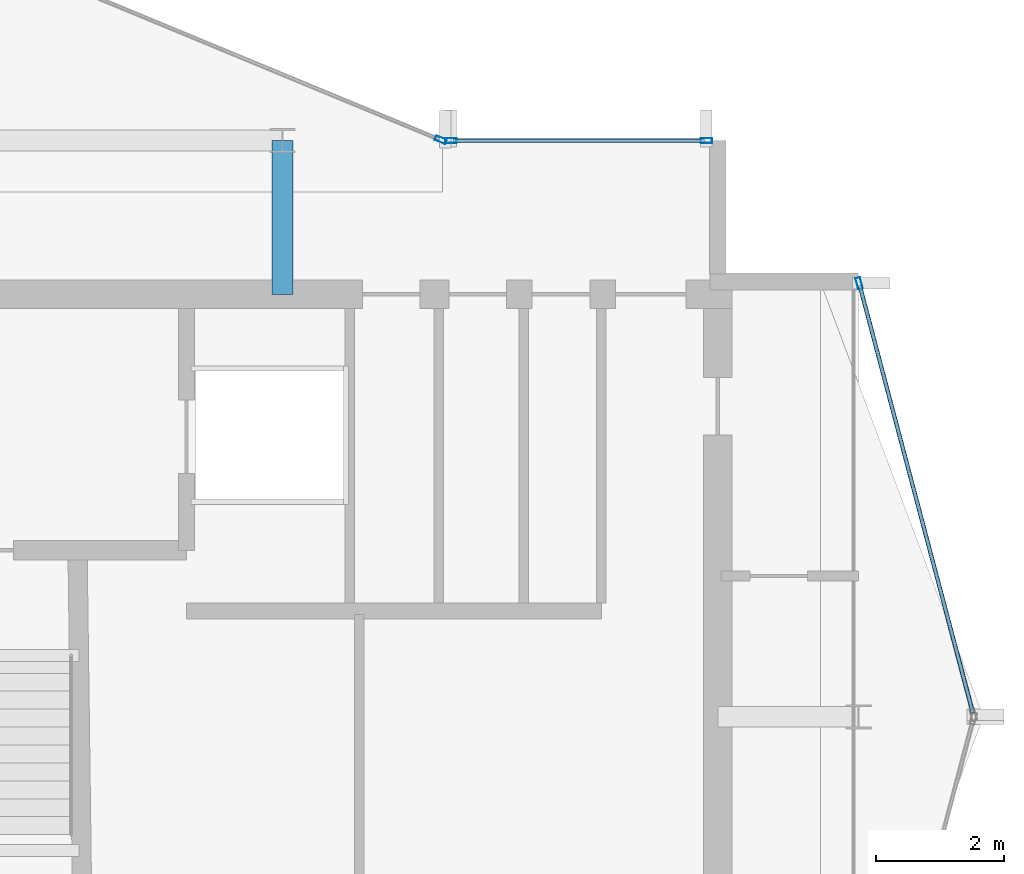
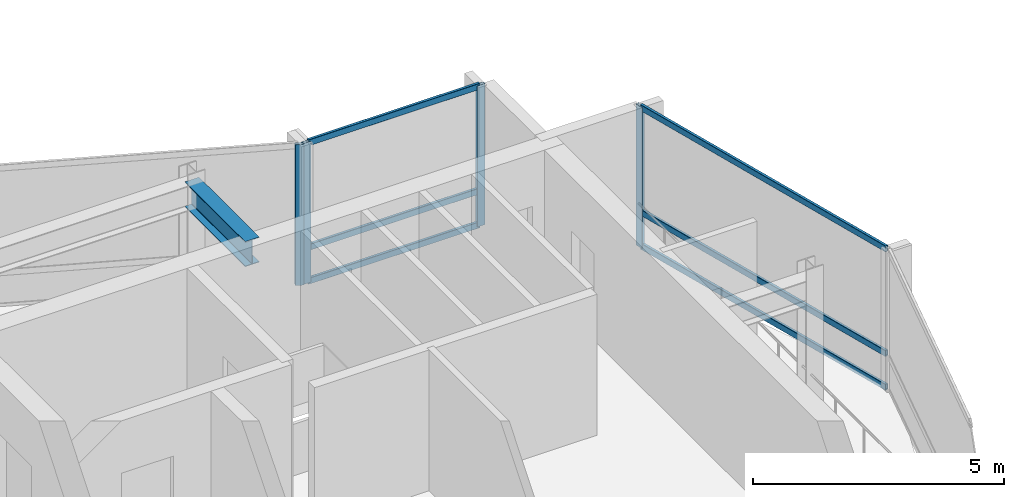
# One storey, part 10 of 19: 10 members, 1 beam, 3 elements without a shape of their own.
"""IFC4 building model written with IfcOpenShell, lengths in metres."""

from ifc_helpers import new_model, si_unit, direction, frame, origin, origin_2d, place, context, subcontext, project, spatial, hollow_rectangle, i_section, extrude, material, layer, layer_set, material_profile, profile_set, type_object, element, aggregate, save


model = new_model("IFC4")

# Units and contexts
model_context = context("Model", 3, precision=1e-05, world=origin(), true_north=direction((0.0, 1.0)))
body_context = subcontext(model_context, "Body", "Model", "MODEL_VIEW")
ifc_project = project(units=[si_unit("LENGTHUNIT", "METRE"), si_unit("AREAUNIT", "SQUARE_METRE"), si_unit("VOLUMEUNIT", "CUBIC_METRE"), si_unit("PLANEANGLEUNIT", "RADIAN"), si_unit("MASSUNIT", "GRAM", prefix="KILO")], contexts=[model_context])

# Site, building, storey
site_placement = place(None, origin())
site = spatial("IfcSite", under=ifc_project, at=site_placement, CompositionType="ELEMENT")
building_placement = place(site_placement, origin())
building = spatial("IfcBuilding", under=site, at=building_placement, Name="Solvaryn Broadcast Tower", CompositionType="ELEMENT")
storey_placement = place(building_placement, frame((0.0, 0.0, 270.39990234375)))
storey = spatial("IfcBuildingStorey", under=building, at=storey_placement, Name="L68", CompositionType="ELEMENT", Elevation=270.39990234375)

# Beam
ifc_material_1 = material(Name="Steel ASTM A992 Grade 50", Category="steel")
ifc_material_profile_1 = material_profile(ifc_material_1, i_section(OverallWidth=0.323974609375, OverallDepth=0.611083984375, WebThickness=0.0126953125, FlangeThickness=0.01904296875, FilletRadius=0.014892578125, at=origin_2d()))
ifc_profile_set_1 = profile_set([ifc_material_profile_1], Name="Steel ASTM A992 Grade 50")
beam_type = type_object("IfcBeamType", Name="BM-B1-W24X104", PredefinedType="BEAM", material=ifc_profile_set_1)
beam_placement = place(storey_placement, frame((36.0, 24.60009765625, 3.114501953125), z_axis=(0.0, 1.0, 0.0), x_axis=(-1.0, 0.0, 0.0)))
element("IfcBeam", 1, at=beam_placement, inside=storey, type_object=beam_type, Name="L68 Core Tie Beam CTE2", PredefinedType="BEAM", context=body_context, shape_type="SweptSolid", body=[
    extrude(i_section(OverallWidth=0.323974609375, OverallDepth=0.611083984375, WebThickness=0.0126953125, FlangeThickness=0.01904296875, FilletRadius=0.014892578125, at=origin_2d()), origin(), (0.0, 0.0, 1.0), 2.39990234375),
])

# Curtain wall, member
ifc_material_2 = material(Name="Aluminium and Terracotta Unitised Curtain Wall", Category="masonry")
ifc_layer = layer(ifc_material_2, 0.199951171875)
ifc_layer_set = layer_set([ifc_layer], Name="CW-SYS2-LOWMID")
curtain_wall_type = type_object("IfcCurtainWallType", Name="CW-SYS2-LOWMID", PredefinedType="NOTDEFINED", material=ifc_layer_set)
curtain_wall_1_placement = place(storey_placement, origin())
curtain_wall_1 = element("IfcCurtainWall", 2, at=curtain_wall_1_placement, inside=storey, type_object=curtain_wall_type, Name="L68 Curtain Wall CN1", PredefinedType="NOTDEFINED")
ifc_material_3 = material(Name="Anodised Aluminium 6063-T6", Category="aluminium")
ifc_material_profile_2 = material_profile(ifc_material_3, hollow_rectangle(XDim=0.074951171875, YDim=0.179931640625, WallThickness=0.00390625, InnerFilletRadius=0.00390625, OuterFilletRadius=0.008056640625, at=origin_2d()))
ifc_profile_set_2 = profile_set([ifc_material_profile_2], Name="Anodised Aluminium 6063-T6")
member_type_1 = type_object("IfcMemberType", Name="CW-MUL-180", PredefinedType="MULLION", material=ifc_profile_set_2)
member_1_placement = place(storey_placement, frame((38.47216796875, 27.011474609375, 0.0), z_axis=(0.0, 0.0, 1.0), x_axis=(-0.382646127145, -0.923894983957, 0.0)))
member_1 = element("IfcMember", 3, at=member_1_placement, type_object=member_type_1, Name="CWS2 mullion 1", PredefinedType="MULLION", context=body_context, shape_type="SweptSolid", body=[
    extrude(hollow_rectangle(XDim=0.074951171875, YDim=0.179931640625, WallThickness=0.00390625, InnerFilletRadius=0.00390625, OuterFilletRadius=0.008056640625, at=origin_2d()), origin(), (0.0, 0.0, 1.0), 3.420166015625),
])
aggregate(curtain_wall_1, [member_1])

curtain_wall_2_placement = place(storey_placement, origin())
curtain_wall_2 = element("IfcCurtainWall", 4, at=curtain_wall_2_placement, inside=storey, type_object=curtain_wall_type, Name="L68 Curtain Wall ET1", PredefinedType="NOTDEFINED")
member_2_placement = place(storey_placement, frame((45.007568359375, 24.77099609375, 0.0), z_axis=(0.0, 0.0, 1.0), x_axis=(0.966705227863, 0.25589256031, 0.0)))
member_2 = element("IfcMember", 5, at=member_2_placement, type_object=member_type_1, Name="CWS2 mullion 1", PredefinedType="MULLION", context=body_context, shape_type="SweptSolid", body=[
    extrude(hollow_rectangle(XDim=0.074951171875, YDim=0.179931640625, WallThickness=0.00390625, InnerFilletRadius=0.00390625, OuterFilletRadius=0.008056640625, at=origin_2d()), origin(), (0.0, 0.0, 1.0), 3.420166015625),
])

# Curtain wall, members
curtain_wall_3_placement = place(storey_placement, origin())
curtain_wall_3 = element("IfcCurtainWall", 6, at=curtain_wall_3_placement, inside=storey, type_object=curtain_wall_type, Name="L68 Curtain Wall IH", PredefinedType="NOTDEFINED")
member_3_placement = place(storey_placement, frame((38.6298828125, 27.0, 0.0), z_axis=(0.0, 0.0, 1.0), x_axis=(0.0, 1.0, 0.0)))
member_3 = element("IfcMember", 7, at=member_3_placement, type_object=member_type_1, Name="CWS2 mullion 1", PredefinedType="MULLION", context=body_context, shape_type="SweptSolid", body=[
    extrude(hollow_rectangle(XDim=0.074951171875, YDim=0.179931640625, WallThickness=0.00390625, InnerFilletRadius=0.00390625, OuterFilletRadius=0.008056640625, at=origin_2d()), origin(), (0.0, 0.0, 1.0), 3.420166015625),
])
member_4_placement = place(storey_placement, frame((42.6201171875, 27.0, 0.0), z_axis=(0.0, 0.0, 1.0), x_axis=(0.0, 1.0, 0.0)))
member_4 = element("IfcMember", 8, at=member_4_placement, type_object=member_type_1, Name="CWS2 mullion 2", PredefinedType="MULLION", context=body_context, shape_type="SweptSolid", body=[
    extrude(hollow_rectangle(XDim=0.074951171875, YDim=0.179931640625, WallThickness=0.00390625, InnerFilletRadius=0.00390625, OuterFilletRadius=0.008056640625, at=origin_2d()), origin(), (0.0, 0.0, 1.0), 3.420166015625),
])

# Member
ifc_material_4 = material(Name="Anodised Aluminium 6063-T6", Category="aluminium")
ifc_material_profile_3 = material_profile(ifc_material_4, hollow_rectangle(XDim=0.06494140625, YDim=0.14990234375, WallThickness=0.00390625, InnerFilletRadius=0.00390625, OuterFilletRadius=0.008056640625, at=origin_2d()))
ifc_profile_set_3 = profile_set([ifc_material_profile_3], Name="Anodised Aluminium 6063-T6")
member_type_2 = type_object("IfcMemberType", Name="CW-TRN-150", PredefinedType="USERDEFINED", material=ifc_profile_set_3)
member_5_placement = place(storey_placement, frame((45.015380859375, 24.741943359375, 0.030029296875), z_axis=(0.255897413051, -0.966703943301, 0.0), x_axis=(0.966703943301, 0.255897413051, 0.0)))
member_5 = element("IfcMember", 9, at=member_5_placement, type_object=member_type_2, Name="CWS2 transom 1.1", ObjectType="TRANSOM", PredefinedType="USERDEFINED", context=body_context, shape_type="SweptSolid", body=[
    extrude(hollow_rectangle(XDim=0.06494140625, YDim=0.14990234375, WallThickness=0.00390625, InnerFilletRadius=0.00390625, OuterFilletRadius=0.008056640625, at=origin_2d()), origin(), (0.0, 0.0, 1.0), 6.9140625),
])

member_6_placement = place(storey_placement, frame((45.015380859375, 24.741943359375, 0.85009765625), z_axis=(0.255897413051, -0.966703943301, 0.0), x_axis=(0.966703943301, 0.255897413051, 0.0)))
member_6 = element("IfcMember", 10, at=member_6_placement, type_object=member_type_2, Name="CWS2 transom 1.2", ObjectType="TRANSOM", PredefinedType="USERDEFINED", context=body_context, shape_type="SweptSolid", body=[
    extrude(hollow_rectangle(XDim=0.06494140625, YDim=0.14990234375, WallThickness=0.00390625, InnerFilletRadius=0.00390625, OuterFilletRadius=0.008056640625, at=origin_2d()), origin(), (0.0, 0.0, 1.0), 6.9140625),
])

member_7_placement = place(storey_placement, frame((45.015380859375, 24.741943359375, 3.39013671875), z_axis=(0.255897413051, -0.966703943301, 0.0), x_axis=(0.966703943301, 0.255897413051, 0.0)))
member_7 = element("IfcMember", 11, at=member_7_placement, type_object=member_type_2, Name="CWS2 transom 1.3", ObjectType="TRANSOM", PredefinedType="USERDEFINED", context=body_context, shape_type="SweptSolid", body=[
    extrude(hollow_rectangle(XDim=0.06494140625, YDim=0.14990234375, WallThickness=0.00390625, InnerFilletRadius=0.00390625, OuterFilletRadius=0.008056640625, at=origin_2d()), origin(), (0.0, 0.0, 1.0), 6.9140625),
])

aggregate(curtain_wall_2, [member_2, member_5, member_6, member_7])

member_8_placement = place(storey_placement, frame((38.659912109375, 27.0, 0.030029296875), z_axis=(1.0, 0.0, 0.0), x_axis=(0.0, 1.0, 0.0)))
member_8 = element("IfcMember", 12, at=member_8_placement, type_object=member_type_2, Name="CWS2 transom 1.1", ObjectType="TRANSOM", PredefinedType="USERDEFINED", context=body_context, shape_type="SweptSolid", body=[
    extrude(hollow_rectangle(XDim=0.06494140625, YDim=0.14990234375, WallThickness=0.00390625, InnerFilletRadius=0.00390625, OuterFilletRadius=0.008056640625, at=origin_2d()), origin(), (0.0, 0.0, 1.0), 3.93017578125),
])

member_9_placement = place(storey_placement, frame((38.659912109375, 27.0, 0.85009765625), z_axis=(1.0, 0.0, 0.0), x_axis=(0.0, 1.0, 0.0)))
member_9 = element("IfcMember", 13, at=member_9_placement, type_object=member_type_2, Name="CWS2 transom 1.2", ObjectType="TRANSOM", PredefinedType="USERDEFINED", context=body_context, shape_type="SweptSolid", body=[
    extrude(hollow_rectangle(XDim=0.06494140625, YDim=0.14990234375, WallThickness=0.00390625, InnerFilletRadius=0.00390625, OuterFilletRadius=0.008056640625, at=origin_2d()), origin(), (0.0, 0.0, 1.0), 3.93017578125),
])

member_10_placement = place(storey_placement, frame((38.659912109375, 27.0, 3.39013671875), z_axis=(1.0, 0.0, 0.0), x_axis=(0.0, 1.0, 0.0)))
member_10 = element("IfcMember", 14, at=member_10_placement, type_object=member_type_2, Name="CWS2 transom 1.3", ObjectType="TRANSOM", PredefinedType="USERDEFINED", context=body_context, shape_type="SweptSolid", body=[
    extrude(hollow_rectangle(XDim=0.06494140625, YDim=0.14990234375, WallThickness=0.00390625, InnerFilletRadius=0.00390625, OuterFilletRadius=0.008056640625, at=origin_2d()), origin(), (0.0, 0.0, 1.0), 3.93017578125),
])

aggregate(curtain_wall_3, [member_3, member_4, member_8, member_9, member_10])

save(model, "model.ifc")
